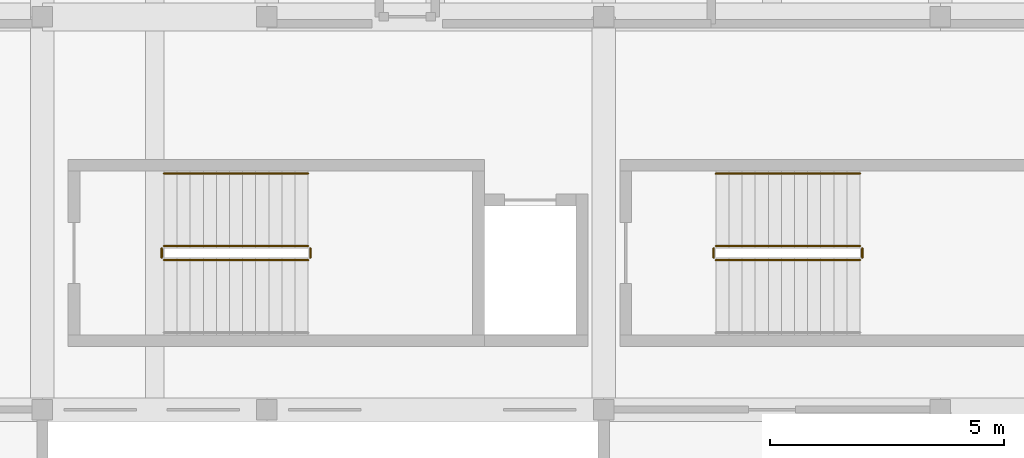
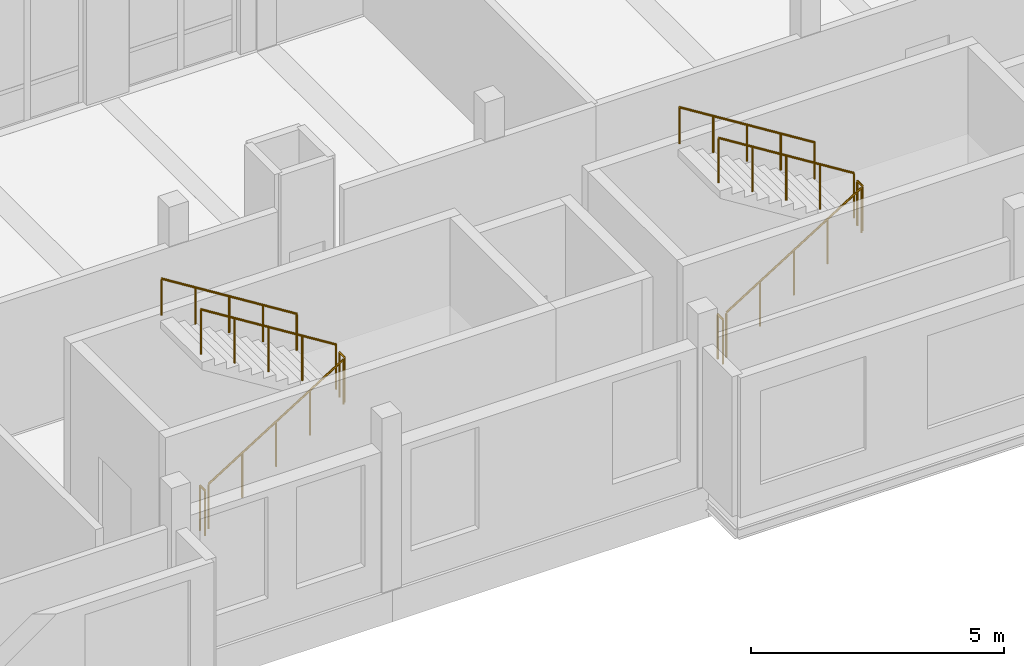
# One storey, part 98 of 99: 10 railings.
"""IFC4 building model written with IfcOpenShell, lengths in metres."""

from ifc_helpers import new_model, si_unit, direction, frame, origin, origin_2d, place, context, subcontext, project, spatial, circle, extrude, material, type_object, element, save


model = new_model("IFC4")

# Units and contexts
model_context = context("Model", 3, precision=1e-05, world=origin(), true_north=direction((0.0, 1.0)))
body_context = subcontext(model_context, "Body", "Model", "MODEL_VIEW")
ifc_project = project(units=[si_unit("LENGTHUNIT", "METRE"), si_unit("AREAUNIT", "SQUARE_METRE"), si_unit("VOLUMEUNIT", "CUBIC_METRE"), si_unit("PLANEANGLEUNIT", "RADIAN"), si_unit("MASSUNIT", "GRAM", prefix="KILO")], contexts=[model_context])

# Site, building, storey
site_placement = place(None, origin())
site = spatial("IfcSite", under=ifc_project, at=site_placement, CompositionType="ELEMENT")
building_placement = place(site_placement, origin())
building = spatial("IfcBuilding", under=site, at=building_placement, Name="Kahlenmark Community Centre", CompositionType="ELEMENT")
storey_placement = place(building_placement, frame((0.0, 0.0, 5.39990234375)))
storey = spatial("IfcBuildingStorey", under=building, at=storey_placement, Name="L01", CompositionType="ELEMENT", Elevation=5.39990234375)

# Railings
ifc_material_1 = material(Name="Brushed stainless steel 1.4301 handrail", Category="steel")
railing_type_1 = type_object("IfcRailingType", Name="RLT-HR-900", PredefinedType="HANDRAIL", material=ifc_material_1)
railing_1_placement = place(storey_placement, frame((51.679931640625, 102.64990234375, 2.275146484375)))
element("IfcRailing", 1, at=railing_1_placement, inside=storey, type_object=railing_type_1, Name="L01 ST-04 stair handrail 2", PredefinedType="HANDRAIL", context=body_context, shape_type="SweptSolid", body=[
    extrude(circle(Radius=0.02392578125, at=origin_2d()), frame((0.0, 0.0, 0.8759765625), z_axis=(-0.847979421464, 0.0, 0.530029150871), x_axis=(0.0, -1.0, 0.0)), (0.0, 0.0, 1.0), 3.632080078125),
    extrude(circle(Radius=0.02099609375, at=origin_2d()), origin(), (0.0, 0.0, 1.0), 0.851806640625),
    extrude(circle(Radius=0.02099609375, at=origin_2d()), frame((-0.77001953125, 0.0, 0.481201171875)), (0.0, 0.0, 1.0), 0.851806640625),
    extrude(circle(Radius=0.02099609375, at=origin_2d()), frame((-1.5400390625, 0.0, 0.96240234375)), (0.0, 0.0, 1.0), 0.851806640625),
    extrude(circle(Radius=0.02099609375, at=origin_2d()), frame((-2.309814453125, 0.0, 1.44384765625)), (0.0, 0.0, 1.0), 0.851806640625),
    extrude(circle(Radius=0.02099609375, at=origin_2d()), frame((-3.079833984375, 0.0, 1.925048828125)), (0.0, 0.0, 1.0), 0.851806640625),
])
railing_2_placement = place(storey_placement, frame((63.47998046875, 102.64990234375, 2.275146484375)))
element("IfcRailing", 2, at=railing_2_placement, inside=storey, type_object=railing_type_1, Name="L01 ST-05 stair handrail 2", PredefinedType="HANDRAIL", context=body_context, shape_type="SweptSolid", body=[
    extrude(circle(Radius=0.02392578125, at=origin_2d()), frame((0.0, 0.0, 0.8759765625), z_axis=(-0.847998304005, 0.0, 0.529998940003), x_axis=(0.0, -1.0, 0.0)), (0.0, 0.0, 1.0), 3.632080078125),
    extrude(circle(Radius=0.02099609375, at=origin_2d()), origin(), (0.0, 0.0, 1.0), 0.851806640625),
    extrude(circle(Radius=0.02099609375, at=origin_2d()), frame((-0.77001953125, 0.0, 0.481201171875)), (0.0, 0.0, 1.0), 0.851806640625),
    extrude(circle(Radius=0.02099609375, at=origin_2d()), frame((-1.5400390625, 0.0, 0.96240234375)), (0.0, 0.0, 1.0), 0.851806640625),
    extrude(circle(Radius=0.02099609375, at=origin_2d()), frame((-2.31005859375, 0.0, 1.44384765625)), (0.0, 0.0, 1.0), 0.851806640625),
    extrude(circle(Radius=0.02099609375, at=origin_2d()), frame((-3.080078125, 0.0, 1.925048828125)), (0.0, 0.0, 1.0), 0.851806640625),
])
ifc_material_2 = material(Name="Powder-coated steel stair well guard", Category="steel")
railing_type_2 = type_object("IfcRailingType", Name="RLT-SG-1120", PredefinedType="GUARDRAIL", material=ifc_material_2)
railing_3_placement = place(storey_placement, frame((48.60009765625, 100.800048828125, 0.175048828125)))
element("IfcRailing", 3, at=railing_3_placement, inside=storey, type_object=railing_type_2, Name="L01 ST-04 stair guard 1", PredefinedType="GUARDRAIL", context=body_context, shape_type="SweptSolid", body=[
    extrude(circle(Radius=0.02392578125, at=origin_2d()), frame((0.0, 0.0, 1.076171875), z_axis=(0.847979421464, 0.0, 0.530029150871), x_axis=(0.0, 1.0, 0.0)), (0.0, 0.0, 1.0), 3.632080078125),
    extrude(circle(Radius=0.02099609375, at=origin_2d()), origin(), (0.0, 0.0, 1.0), 1.052001953125),
    extrude(circle(Radius=0.02099609375, at=origin_2d()), frame((0.77001953125, 0.0, 0.481201171875)), (0.0, 0.0, 1.0), 1.052001953125),
    extrude(circle(Radius=0.02099609375, at=origin_2d()), frame((1.5400390625, 0.0, 0.96240234375)), (0.0, 0.0, 1.0), 1.052001953125),
    extrude(circle(Radius=0.02099609375, at=origin_2d()), frame((2.309814453125, 0.0, 1.44384765625)), (0.0, 0.0, 1.0), 1.052001953125),
    extrude(circle(Radius=0.02099609375, at=origin_2d()), frame((3.079833984375, 0.0, 1.925048828125)), (0.0, 0.0, 1.0), 1.052001953125),
])
railing_4_placement = place(storey_placement, frame((51.72998046875, 100.85009765625, 2.10009765625)))
element("IfcRailing", 4, at=railing_4_placement, inside=storey, type_object=railing_type_2, Name="L01 ST-04 stair guard 2", PredefinedType="GUARDRAIL", context=body_context, shape_type="SweptSolid", body=[
    extrude(circle(Radius=0.02392578125, at=origin_2d()), frame((0.0, 0.0, 1.076171875), z_axis=(0.0, 1.0, 0.0), x_axis=(-1.0, 0.0, 0.0)), (0.0, 0.0, 1.0), 0.199951171875),
    extrude(circle(Radius=0.02099609375, at=origin_2d()), origin(), (0.0, 0.0, 1.0), 1.052001953125),
    extrude(circle(Radius=0.02099609375, at=origin_2d()), frame((0.0, 0.199951171875, 0.0)), (0.0, 0.0, 1.0), 1.052001953125),
])
railing_5_placement = place(storey_placement, frame((51.679931640625, 101.10009765625, 2.275146484375)))
element("IfcRailing", 5, at=railing_5_placement, inside=storey, type_object=railing_type_2, Name="L01 ST-04 stair guard 3", PredefinedType="GUARDRAIL", context=body_context, shape_type="SweptSolid", body=[
    extrude(circle(Radius=0.02392578125, at=origin_2d()), frame((0.0, 0.0, 1.076171875), z_axis=(-0.847979421464, 0.0, 0.530029150871), x_axis=(0.0, -1.0, 0.0)), (0.0, 0.0, 1.0), 3.632080078125),
    extrude(circle(Radius=0.02099609375, at=origin_2d()), origin(), (0.0, 0.0, 1.0), 1.052001953125),
    extrude(circle(Radius=0.02099609375, at=origin_2d()), frame((-0.77001953125, 0.0, 0.481201171875)), (0.0, 0.0, 1.0), 1.052001953125),
    extrude(circle(Radius=0.02099609375, at=origin_2d()), frame((-1.5400390625, 0.0, 0.96240234375)), (0.0, 0.0, 1.0), 1.052001953125),
    extrude(circle(Radius=0.02099609375, at=origin_2d()), frame((-2.309814453125, 0.0, 1.44384765625)), (0.0, 0.0, 1.0), 1.052001953125),
    extrude(circle(Radius=0.02099609375, at=origin_2d()), frame((-3.079833984375, 0.0, 1.925048828125)), (0.0, 0.0, 1.0), 1.052001953125),
])
railing_6_placement = place(storey_placement, frame((48.550048828125, 100.85009765625, 0.0)))
element("IfcRailing", 6, at=railing_6_placement, inside=storey, type_object=railing_type_2, Name="L01 ST-04 stair guard 4", PredefinedType="GUARDRAIL", context=body_context, shape_type="SweptSolid", body=[
    extrude(circle(Radius=0.02392578125, at=origin_2d()), frame((0.0, 0.0, 1.076171875), z_axis=(0.0, 1.0, 0.0), x_axis=(-1.0, 0.0, 0.0)), (0.0, 0.0, 1.0), 0.199951171875),
    extrude(circle(Radius=0.02099609375, at=origin_2d()), origin(), (0.0, 0.0, 1.0), 1.052001953125),
    extrude(circle(Radius=0.02099609375, at=origin_2d()), frame((0.0, 0.199951171875, 0.0)), (0.0, 0.0, 1.0), 1.052001953125),
])
railing_7_placement = place(storey_placement, frame((60.39990234375, 100.800048828125, 0.175048828125)))
element("IfcRailing", 7, at=railing_7_placement, inside=storey, type_object=railing_type_2, Name="L01 ST-05 stair guard 1", PredefinedType="GUARDRAIL", context=body_context, shape_type="SweptSolid", body=[
    extrude(circle(Radius=0.02392578125, at=origin_2d()), frame((0.0, 0.0, 1.076171875), z_axis=(0.847998304005, 0.0, 0.529998940003), x_axis=(0.0, 1.0, 0.0)), (0.0, 0.0, 1.0), 3.632080078125),
    extrude(circle(Radius=0.02099609375, at=origin_2d()), origin(), (0.0, 0.0, 1.0), 1.052001953125),
    extrude(circle(Radius=0.02099609375, at=origin_2d()), frame((0.77001953125, 0.0, 0.481201171875)), (0.0, 0.0, 1.0), 1.052001953125),
    extrude(circle(Radius=0.02099609375, at=origin_2d()), frame((1.5400390625, 0.0, 0.96240234375)), (0.0, 0.0, 1.0), 1.052001953125),
    extrude(circle(Radius=0.02099609375, at=origin_2d()), frame((2.31005859375, 0.0, 1.44384765625)), (0.0, 0.0, 1.0), 1.052001953125),
    extrude(circle(Radius=0.02099609375, at=origin_2d()), frame((3.080078125, 0.0, 1.925048828125)), (0.0, 0.0, 1.0), 1.052001953125),
])
railing_8_placement = place(storey_placement, frame((63.530029296875, 100.85009765625, 2.10009765625)))
element("IfcRailing", 8, at=railing_8_placement, inside=storey, type_object=railing_type_2, Name="L01 ST-05 stair guard 2", PredefinedType="GUARDRAIL", context=body_context, shape_type="SweptSolid", body=[
    extrude(circle(Radius=0.02392578125, at=origin_2d()), frame((0.0, 0.0, 1.076171875), z_axis=(0.0, 1.0, 0.0), x_axis=(-1.0, 0.0, 0.0)), (0.0, 0.0, 1.0), 0.199951171875),
    extrude(circle(Radius=0.02099609375, at=origin_2d()), origin(), (0.0, 0.0, 1.0), 1.052001953125),
    extrude(circle(Radius=0.02099609375, at=origin_2d()), frame((0.0, 0.199951171875, 0.0)), (0.0, 0.0, 1.0), 1.052001953125),
])
railing_9_placement = place(storey_placement, frame((63.47998046875, 101.10009765625, 2.275146484375)))
element("IfcRailing", 9, at=railing_9_placement, inside=storey, type_object=railing_type_2, Name="L01 ST-05 stair guard 3", PredefinedType="GUARDRAIL", context=body_context, shape_type="SweptSolid", body=[
    extrude(circle(Radius=0.02392578125, at=origin_2d()), frame((0.0, 0.0, 1.076171875), z_axis=(-0.847998304005, 0.0, 0.529998940003), x_axis=(0.0, -1.0, 0.0)), (0.0, 0.0, 1.0), 3.632080078125),
    extrude(circle(Radius=0.02099609375, at=origin_2d()), origin(), (0.0, 0.0, 1.0), 1.052001953125),
    extrude(circle(Radius=0.02099609375, at=origin_2d()), frame((-0.77001953125, 0.0, 0.481201171875)), (0.0, 0.0, 1.0), 1.052001953125),
    extrude(circle(Radius=0.02099609375, at=origin_2d()), frame((-1.5400390625, 0.0, 0.96240234375)), (0.0, 0.0, 1.0), 1.052001953125),
    extrude(circle(Radius=0.02099609375, at=origin_2d()), frame((-2.31005859375, 0.0, 1.44384765625)), (0.0, 0.0, 1.0), 1.052001953125),
    extrude(circle(Radius=0.02099609375, at=origin_2d()), frame((-3.080078125, 0.0, 1.925048828125)), (0.0, 0.0, 1.0), 1.052001953125),
])
railing_10_placement = place(storey_placement, frame((60.35009765625, 100.85009765625, 0.0)))
element("IfcRailing", 10, at=railing_10_placement, inside=storey, type_object=railing_type_2, Name="L01 ST-05 stair guard 4", PredefinedType="GUARDRAIL", context=body_context, shape_type="SweptSolid", body=[
    extrude(circle(Radius=0.02392578125, at=origin_2d()), frame((0.0, 0.0, 1.076171875), z_axis=(0.0, 1.0, 0.0), x_axis=(-1.0, 0.0, 0.0)), (0.0, 0.0, 1.0), 0.199951171875),
    extrude(circle(Radius=0.02099609375, at=origin_2d()), origin(), (0.0, 0.0, 1.0), 1.052001953125),
    extrude(circle(Radius=0.02099609375, at=origin_2d()), frame((0.0, 0.199951171875, 0.0)), (0.0, 0.0, 1.0), 1.052001953125),
])

save(model, "model.ifc")
